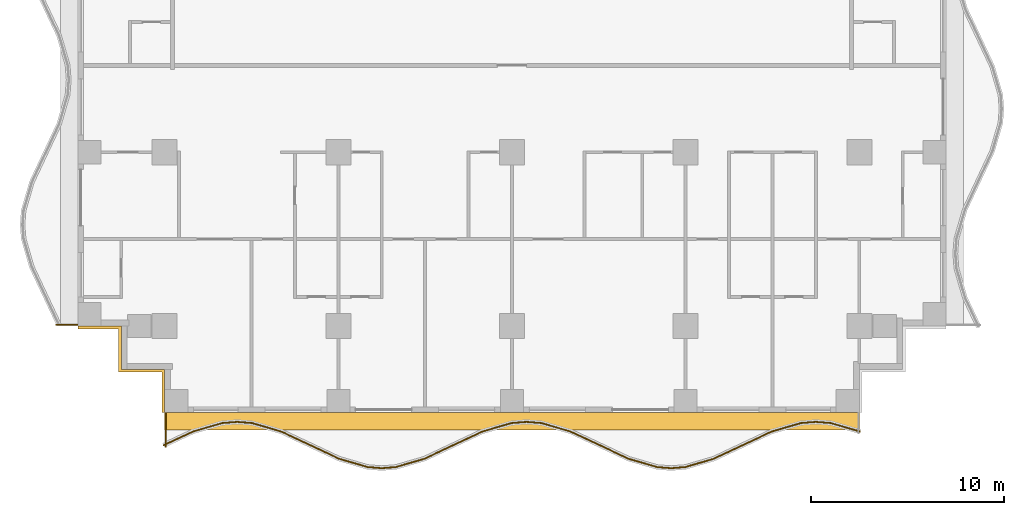
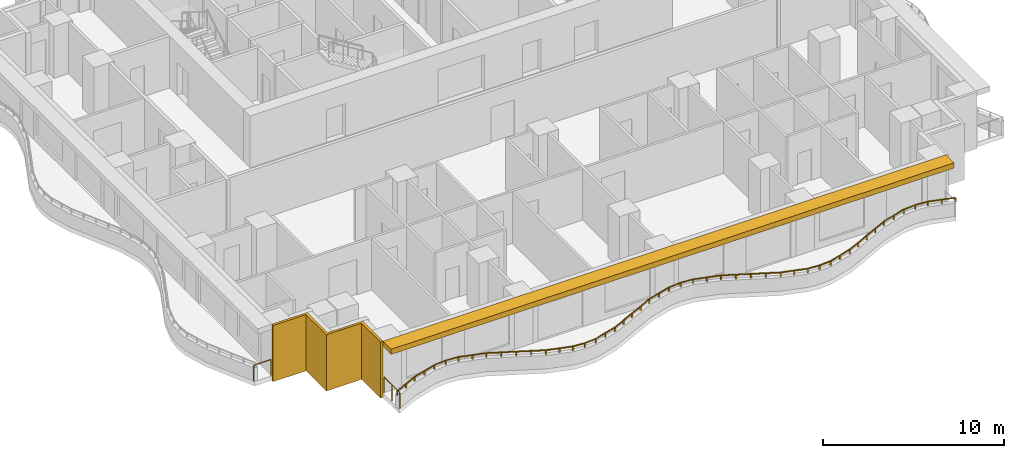
# One storey, part 7 of 10: 3 railings, 2 shading devices.
"""IFC4 building model written with IfcOpenShell, lengths in metres."""

from ifc_helpers import new_model, si_unit, direction, frame, origin, origin_2d, place, context, subcontext, project, spatial, polyline, rectangle, outline, extrude, material, layer, layer_set, type_object, element, save


model = new_model("IFC4")

# Units and contexts
model_context = context("Model", 3, precision=1e-05, world=origin(), true_north=direction((0.0, 1.0)))
body_context = subcontext(model_context, "Body", "Model", "MODEL_VIEW")
ifc_project = project(units=[si_unit("LENGTHUNIT", "METRE"), si_unit("AREAUNIT", "SQUARE_METRE"), si_unit("VOLUMEUNIT", "CUBIC_METRE"), si_unit("PLANEANGLEUNIT", "RADIAN"), si_unit("MASSUNIT", "GRAM", prefix="KILO")], contexts=[model_context])

# Site, building, storey
site_placement = place(None, origin())
site = spatial("IfcSite", under=ifc_project, at=site_placement, CompositionType="ELEMENT")
building_placement = place(site_placement, origin())
building = spatial("IfcBuilding", under=site, at=building_placement, Name="Orbiselva Terraces", CompositionType="ELEMENT")
storey_placement = place(building_placement, frame((0.0, 0.0, 128.8)))
storey = spatial("IfcBuildingStorey", under=building, at=storey_placement, Name="L32", CompositionType="ELEMENT", Elevation=128.8)

# Railings
ifc_material_1 = material(Name="Bonded two-ply safety glass balustrade, stainless steel posts", Category="steel")
railing_type_1 = type_object("IfcRailingType", Name="ENV-BALUSTRADE-1200", PredefinedType="BALUSTRADE", material=ifc_material_1)
railing_1_placement = place(storey_placement, frame((-18.053191, -19.686882, 0.9)))
element("IfcRailing", 1, at=railing_1_placement, inside=storey, type_object=railing_type_1, Name="Balcony balustrade L32 S", PredefinedType="BALUSTRADE", context=body_context, shape_type="SweptSolid", body=[
    extrude(outline(polyline([(0.028868, 0.0), (0.014434, 0.025), (-0.014434, 0.025), (-0.028868, 0.0), (-0.014434, -0.025), (0.014434, -0.025), (0.028868, 0.0)])), frame((0.0, 0.0, 0.275), z_axis=(0.904944157382, 0.425530342069, 0.0), x_axis=(-0.425530342069, 0.904944157382, 0.0)), (0.0, 0.0, 1.0), 1.667376),
    extrude(outline(polyline([(0.028868, 0.0), (0.014434, 0.025), (-0.014434, 0.025), (-0.028868, 0.0), (-0.014434, -0.025), (0.014434, -0.025), (0.028868, 0.0)])), frame((1.508882, 0.709519, 0.275), z_axis=(0.960270491427, 0.279070928786, 0.0), x_axis=(-0.279070928786, 0.960270491427, 0.0)), (0.0, 0.0, 1.0), 1.584712),
    extrude(outline(polyline([(0.028868, 0.0), (0.014434, 0.025), (-0.014434, 0.025), (-0.028868, 0.0), (-0.014434, -0.025), (0.014434, -0.025), (0.028868, 0.0)])), frame((3.030634, 1.151766, 0.275), z_axis=(0.996947796737, 0.078071061106, 0.0), x_axis=(-0.078071061106, 0.996947796737, 0.0)), (0.0, 0.0, 1.0), 0.774922),
    extrude(outline(polyline([(0.028868, 0.0), (0.014434, 0.025), (-0.014434, 0.025), (-0.028868, 0.0), (-0.014434, -0.025), (0.014434, -0.025), (0.028868, 0.0)])), frame((3.803191, 1.212265, 0.275), z_axis=(0.996947796737, -0.078071061106, 0.0), x_axis=(0.078071061106, 0.996947796737, 0.0)), (0.0, 0.0, 1.0), 0.774922),
    extrude(outline(polyline([(0.028868, 0.0), (0.014434, 0.025), (-0.014434, 0.025), (-0.028868, 0.0), (-0.014434, -0.025), (0.014434, -0.025), (0.028868, 0.0)])), frame((4.575748, 1.151766, 0.275), z_axis=(0.960270491427, -0.279070928786, 0.0), x_axis=(0.279070928786, 0.960270491427, 0.0)), (0.0, 0.0, 1.0), 1.584712),
    extrude(outline(polyline([(0.028868, 0.0), (0.014434, 0.025), (-0.014434, 0.025), (-0.028868, 0.0), (-0.014434, -0.025), (0.014434, -0.025), (0.028868, 0.0)])), frame((6.0975, 0.709519, 0.275), z_axis=(0.904944157382, -0.425530342069, 0.0), x_axis=(0.425530342069, 0.904944157382, 0.0)), (0.0, 0.0, 1.0), 1.667376),
    extrude(outline(polyline([(0.028868, 0.0), (0.014434, 0.025), (-0.014434, 0.025), (-0.028868, 0.0), (-0.014434, -0.025), (0.014434, -0.025), (0.028868, 0.0)])), frame((7.606382, 0.0, 0.275), z_axis=(0.904944359461, -0.425529912322, 0.0), x_axis=(0.425529912322, 0.904944359461, 0.0)), (0.0, 0.0, 1.0), 1.647746),
    extrude(outline(polyline([(0.028868, 0.0), (0.014434, 0.025), (-0.014434, 0.025), (-0.028868, 0.0), (-0.014434, -0.025), (0.014434, -0.025), (0.028868, 0.0)])), frame((9.0975, -0.701165, 0.275), z_axis=(0.960270317007, -0.279071528957, 0.0), x_axis=(0.279071528957, 0.960270317007, 0.0)), (0.0, 0.0, 1.0), 1.539408),
    extrude(outline(polyline([(0.028868, 0.0), (0.014434, 0.025), (-0.014434, 0.025), (-0.028868, 0.0), (-0.014434, -0.025), (0.014434, -0.025), (0.028868, 0.0)])), frame((10.575748, -1.13077, 0.275), z_axis=(0.996947916106, -0.078069536776, 0.0), x_axis=(0.078069536776, 0.996947916106, 0.0)), (0.0, 0.0, 1.0), 0.72967),
    extrude(outline(polyline([(0.028868, 0.0), (0.014434, 0.025), (-0.014434, 0.025), (-0.028868, 0.0), (-0.014434, -0.025), (0.014434, -0.025), (0.028868, 0.0)])), frame((11.303191, -1.187735, 0.275), z_axis=(0.996947916106, 0.078069536776, 0.0), x_axis=(-0.078069536776, 0.996947916106, 0.0)), (0.0, 0.0, 1.0), 0.72967),
    extrude(outline(polyline([(0.028868, 0.0), (0.014434, 0.025), (-0.014434, 0.025), (-0.028868, 0.0), (-0.014434, -0.025), (0.014434, -0.025), (0.028868, 0.0)])), frame((12.030634, -1.13077, 0.275), z_axis=(0.960270317007, 0.279071528957, 0.0), x_axis=(-0.279071528957, 0.960270317007, 0.0)), (0.0, 0.0, 1.0), 1.539408),
    extrude(outline(polyline([(0.028868, 0.0), (0.014434, 0.025), (-0.014434, 0.025), (-0.028868, 0.0), (-0.014434, -0.025), (0.014434, -0.025), (0.028868, 0.0)])), frame((13.508882, -0.701165, 0.275), z_axis=(0.904944359461, 0.425529912322, 0.0), x_axis=(-0.425529912322, 0.904944359461, 0.0)), (0.0, 0.0, 1.0), 1.647746),
    extrude(outline(polyline([(0.028868, 0.0), (0.014434, 0.025), (-0.014434, 0.025), (-0.028868, 0.0), (-0.014434, -0.025), (0.014434, -0.025), (0.028868, 0.0)])), frame((15.0, 0.0, 0.275), z_axis=(0.904944157382, 0.425530342069, 0.0), x_axis=(-0.425530342069, 0.904944157382, 0.0)), (0.0, 0.0, 1.0), 1.667376),
    extrude(outline(polyline([(0.028868, 0.0), (0.014434, 0.025), (-0.014434, 0.025), (-0.028868, 0.0), (-0.014434, -0.025), (0.014434, -0.025), (0.028868, 0.0)])), frame((16.508882, 0.709519, 0.275), z_axis=(0.960270491427, 0.279070928786, 0.0), x_axis=(-0.279070928786, 0.960270491427, 0.0)), (0.0, 0.0, 1.0), 1.584712),
    extrude(outline(polyline([(0.028868, 0.0), (0.014434, 0.025), (-0.014434, 0.025), (-0.028868, 0.0), (-0.014434, -0.025), (0.014434, -0.025), (0.028868, 0.0)])), frame((18.030634, 1.151766, 0.275), z_axis=(0.996947796737, 0.078071061106, 0.0), x_axis=(-0.078071061106, 0.996947796737, 0.0)), (0.0, 0.0, 1.0), 0.774922),
    extrude(outline(polyline([(0.028868, 0.0), (0.014434, 0.025), (-0.014434, 0.025), (-0.028868, 0.0), (-0.014434, -0.025), (0.014434, -0.025), (0.028868, 0.0)])), frame((18.803191, 1.212265, 0.275), z_axis=(0.996947796737, -0.078071061106, 0.0), x_axis=(0.078071061106, 0.996947796737, 0.0)), (0.0, 0.0, 1.0), 0.774922),
    extrude(outline(polyline([(0.028868, 0.0), (0.014434, 0.025), (-0.014434, 0.025), (-0.028868, 0.0), (-0.014434, -0.025), (0.014434, -0.025), (0.028868, 0.0)])), frame((19.575748, 1.151766, 0.275), z_axis=(0.960270491427, -0.279070928786, 0.0), x_axis=(0.279070928786, 0.960270491427, 0.0)), (0.0, 0.0, 1.0), 1.584712),
    extrude(outline(polyline([(0.028868, 0.0), (0.014434, 0.025), (-0.014434, 0.025), (-0.028868, 0.0), (-0.014434, -0.025), (0.014434, -0.025), (0.028868, 0.0)])), frame((21.0975, 0.709519, 0.275), z_axis=(0.904944157382, -0.425530342069, 0.0), x_axis=(0.425530342069, 0.904944157382, 0.0)), (0.0, 0.0, 1.0), 1.667376),
    extrude(outline(polyline([(0.028868, 0.0), (0.014434, 0.025), (-0.014434, 0.025), (-0.028868, 0.0), (-0.014434, -0.025), (0.014434, -0.025), (0.028868, 0.0)])), frame((22.606382, 0.0, 0.275), z_axis=(0.904944359461, -0.425529912322, 0.0), x_axis=(0.425529912322, 0.904944359461, 0.0)), (0.0, 0.0, 1.0), 1.647746),
    extrude(outline(polyline([(0.028868, 0.0), (0.014434, 0.025), (-0.014434, 0.025), (-0.028868, 0.0), (-0.014434, -0.025), (0.014434, -0.025), (0.028868, 0.0)])), frame((24.0975, -0.701165, 0.275), z_axis=(0.960270317007, -0.279071528957, 0.0), x_axis=(0.279071528957, 0.960270317007, 0.0)), (0.0, 0.0, 1.0), 1.539408),
    extrude(outline(polyline([(0.028868, 0.0), (0.014434, 0.025), (-0.014434, 0.025), (-0.028868, 0.0), (-0.014434, -0.025), (0.014434, -0.025), (0.028868, 0.0)])), frame((25.575748, -1.13077, 0.275), z_axis=(0.996947916106, -0.078069536776, 0.0), x_axis=(0.078069536776, 0.996947916106, 0.0)), (0.0, 0.0, 1.0), 0.72967),
    extrude(outline(polyline([(0.028868, 0.0), (0.014434, 0.025), (-0.014434, 0.025), (-0.028868, 0.0), (-0.014434, -0.025), (0.014434, -0.025), (0.028868, 0.0)])), frame((26.303191, -1.187735, 0.275), z_axis=(0.996947916106, 0.078069536776, 0.0), x_axis=(-0.078069536776, 0.996947916106, 0.0)), (0.0, 0.0, 1.0), 0.72967),
    extrude(outline(polyline([(0.028868, 0.0), (0.014434, 0.025), (-0.014434, 0.025), (-0.028868, 0.0), (-0.014434, -0.025), (0.014434, -0.025), (0.028868, 0.0)])), frame((27.030634, -1.13077, 0.275), z_axis=(0.960270317007, 0.279071528957, 0.0), x_axis=(-0.279071528957, 0.960270317007, 0.0)), (0.0, 0.0, 1.0), 1.539408),
    extrude(outline(polyline([(0.028868, 0.0), (0.014434, 0.025), (-0.014434, 0.025), (-0.028868, 0.0), (-0.014434, -0.025), (0.014434, -0.025), (0.028868, 0.0)])), frame((28.508882, -0.701165, 0.275), z_axis=(0.904944359461, 0.425529912322, 0.0), x_axis=(-0.425529912322, 0.904944359461, 0.0)), (0.0, 0.0, 1.0), 1.647746),
    extrude(outline(polyline([(0.028868, 0.0), (0.014434, 0.025), (-0.014434, 0.025), (-0.028868, 0.0), (-0.014434, -0.025), (0.014434, -0.025), (0.028868, 0.0)])), frame((30.0, 0.0, 0.275), z_axis=(0.904944157382, 0.425530342069, 0.0), x_axis=(-0.425530342069, 0.904944157382, 0.0)), (0.0, 0.0, 1.0), 1.667376),
    extrude(outline(polyline([(0.028868, 0.0), (0.014434, 0.025), (-0.014434, 0.025), (-0.028868, 0.0), (-0.014434, -0.025), (0.014434, -0.025), (0.028868, 0.0)])), frame((31.508882, 0.709519, 0.275), z_axis=(0.960270491427, 0.279070928786, 0.0), x_axis=(-0.279070928786, 0.960270491427, 0.0)), (0.0, 0.0, 1.0), 1.584712),
    extrude(outline(polyline([(0.028868, 0.0), (0.014434, 0.025), (-0.014434, 0.025), (-0.028868, 0.0), (-0.014434, -0.025), (0.014434, -0.025), (0.028868, 0.0)])), frame((33.030634, 1.151766, 0.275), z_axis=(0.996947796737, 0.078071061106, 0.0), x_axis=(-0.078071061106, 0.996947796737, 0.0)), (0.0, 0.0, 1.0), 0.774922),
    extrude(outline(polyline([(0.028868, 0.0), (0.014434, 0.025), (-0.014434, 0.025), (-0.028868, 0.0), (-0.014434, -0.025), (0.014434, -0.025), (0.028868, 0.0)])), frame((33.803191, 1.212265, 0.275), z_axis=(0.996947796737, -0.078071061106, 0.0), x_axis=(0.078071061106, 0.996947796737, 0.0)), (0.0, 0.0, 1.0), 0.774922),
    extrude(outline(polyline([(0.028868, 0.0), (0.014434, 0.025), (-0.014434, 0.025), (-0.028868, 0.0), (-0.014434, -0.025), (0.014434, -0.025), (0.028868, 0.0)])), frame((34.575748, 1.151766, 0.275), z_axis=(0.96027048033, -0.279070966973, 0.0), x_axis=(0.279070966973, 0.96027048033, 0.0)), (0.0, 0.0, 1.0), 1.574897),
    extrude(rectangle(XDim=0.05, YDim=0.05, at=origin_2d()), origin(), (0.0, 0.0, 1.0), 0.25),
    extrude(rectangle(XDim=0.05, YDim=0.05, at=origin_2d()), frame((0.754441, 0.35476, 0.0)), (0.0, 0.0, 1.0), 0.25),
    extrude(rectangle(XDim=0.05, YDim=0.05, at=origin_2d()), frame((1.508882, 0.709519, 0.0)), (0.0, 0.0, 1.0), 0.25),
    extrude(rectangle(XDim=0.05, YDim=0.05, at=origin_2d()), frame((2.269758, 0.930643, 0.0)), (0.0, 0.0, 1.0), 0.25),
    extrude(rectangle(XDim=0.05, YDim=0.05, at=origin_2d()), frame((3.030634, 1.151766, 0.0)), (0.0, 0.0, 1.0), 0.25),
    extrude(rectangle(XDim=0.05, YDim=0.05, at=origin_2d()), frame((3.803191, 1.212265, 0.0)), (0.0, 0.0, 1.0), 0.25),
    extrude(rectangle(XDim=0.05, YDim=0.05, at=origin_2d()), frame((4.575748, 1.151766, 0.0)), (0.0, 0.0, 1.0), 0.25),
    extrude(rectangle(XDim=0.05, YDim=0.05, at=origin_2d()), frame((5.336624, 0.930643, 0.0)), (0.0, 0.0, 1.0), 0.25),
    extrude(rectangle(XDim=0.05, YDim=0.05, at=origin_2d()), frame((6.0975, 0.709519, 0.0)), (0.0, 0.0, 1.0), 0.25),
    extrude(rectangle(XDim=0.05, YDim=0.05, at=origin_2d()), frame((6.851941, 0.35476, 0.0)), (0.0, 0.0, 1.0), 0.25),
    extrude(rectangle(XDim=0.05, YDim=0.05, at=origin_2d()), frame((7.606382, 0.0, 0.0)), (0.0, 0.0, 1.0), 0.25),
    extrude(rectangle(XDim=0.05, YDim=0.05, at=origin_2d()), frame((8.351941, -0.350582, 0.0)), (0.0, 0.0, 1.0), 0.25),
    extrude(rectangle(XDim=0.05, YDim=0.05, at=origin_2d()), frame((9.0975, -0.701165, 0.0)), (0.0, 0.0, 1.0), 0.25),
    extrude(rectangle(XDim=0.05, YDim=0.05, at=origin_2d()), frame((9.836624, -0.915967, 0.0)), (0.0, 0.0, 1.0), 0.25),
    extrude(rectangle(XDim=0.05, YDim=0.05, at=origin_2d()), frame((10.575748, -1.13077, 0.0)), (0.0, 0.0, 1.0), 0.25),
    extrude(rectangle(XDim=0.05, YDim=0.05, at=origin_2d()), frame((11.303191, -1.187735, 0.0)), (0.0, 0.0, 1.0), 0.25),
    extrude(rectangle(XDim=0.05, YDim=0.05, at=origin_2d()), frame((12.030634, -1.13077, 0.0)), (0.0, 0.0, 1.0), 0.25),
    extrude(rectangle(XDim=0.05, YDim=0.05, at=origin_2d()), frame((12.769758, -0.915967, 0.0)), (0.0, 0.0, 1.0), 0.25),
    extrude(rectangle(XDim=0.05, YDim=0.05, at=origin_2d()), frame((13.508882, -0.701165, 0.0)), (0.0, 0.0, 1.0), 0.25),
    extrude(rectangle(XDim=0.05, YDim=0.05, at=origin_2d()), frame((14.254441, -0.350582, 0.0)), (0.0, 0.0, 1.0), 0.25),
    extrude(rectangle(XDim=0.05, YDim=0.05, at=origin_2d()), frame((15.0, 0.0, 0.0)), (0.0, 0.0, 1.0), 0.25),
    extrude(rectangle(XDim=0.05, YDim=0.05, at=origin_2d()), frame((15.754441, 0.35476, 0.0)), (0.0, 0.0, 1.0), 0.25),
    extrude(rectangle(XDim=0.05, YDim=0.05, at=origin_2d()), frame((16.508882, 0.709519, 0.0)), (0.0, 0.0, 1.0), 0.25),
    extrude(rectangle(XDim=0.05, YDim=0.05, at=origin_2d()), frame((17.269758, 0.930643, 0.0)), (0.0, 0.0, 1.0), 0.25),
    extrude(rectangle(XDim=0.05, YDim=0.05, at=origin_2d()), frame((18.030634, 1.151766, 0.0)), (0.0, 0.0, 1.0), 0.25),
    extrude(rectangle(XDim=0.05, YDim=0.05, at=origin_2d()), frame((18.803191, 1.212265, 0.0)), (0.0, 0.0, 1.0), 0.25),
    extrude(rectangle(XDim=0.05, YDim=0.05, at=origin_2d()), frame((19.575748, 1.151766, 0.0)), (0.0, 0.0, 1.0), 0.25),
    extrude(rectangle(XDim=0.05, YDim=0.05, at=origin_2d()), frame((20.336624, 0.930643, 0.0)), (0.0, 0.0, 1.0), 0.25),
    extrude(rectangle(XDim=0.05, YDim=0.05, at=origin_2d()), frame((21.0975, 0.709519, 0.0)), (0.0, 0.0, 1.0), 0.25),
    extrude(rectangle(XDim=0.05, YDim=0.05, at=origin_2d()), frame((21.851941, 0.35476, 0.0)), (0.0, 0.0, 1.0), 0.25),
    extrude(rectangle(XDim=0.05, YDim=0.05, at=origin_2d()), frame((22.606382, 0.0, 0.0)), (0.0, 0.0, 1.0), 0.25),
    extrude(rectangle(XDim=0.05, YDim=0.05, at=origin_2d()), frame((23.351941, -0.350582, 0.0)), (0.0, 0.0, 1.0), 0.25),
    extrude(rectangle(XDim=0.05, YDim=0.05, at=origin_2d()), frame((24.0975, -0.701165, 0.0)), (0.0, 0.0, 1.0), 0.25),
    extrude(rectangle(XDim=0.05, YDim=0.05, at=origin_2d()), frame((24.836624, -0.915967, 0.0)), (0.0, 0.0, 1.0), 0.25),
    extrude(rectangle(XDim=0.05, YDim=0.05, at=origin_2d()), frame((25.575748, -1.13077, 0.0)), (0.0, 0.0, 1.0), 0.25),
    extrude(rectangle(XDim=0.05, YDim=0.05, at=origin_2d()), frame((26.303191, -1.187735, 0.0)), (0.0, 0.0, 1.0), 0.25),
    extrude(rectangle(XDim=0.05, YDim=0.05, at=origin_2d()), frame((27.030634, -1.13077, 0.0)), (0.0, 0.0, 1.0), 0.25),
    extrude(rectangle(XDim=0.05, YDim=0.05, at=origin_2d()), frame((27.769758, -0.915967, 0.0)), (0.0, 0.0, 1.0), 0.25),
    extrude(rectangle(XDim=0.05, YDim=0.05, at=origin_2d()), frame((28.508882, -0.701165, 0.0)), (0.0, 0.0, 1.0), 0.25),
    extrude(rectangle(XDim=0.05, YDim=0.05, at=origin_2d()), frame((29.254441, -0.350582, 0.0)), (0.0, 0.0, 1.0), 0.25),
    extrude(rectangle(XDim=0.05, YDim=0.05, at=origin_2d()), frame((30.0, 0.0, 0.0)), (0.0, 0.0, 1.0), 0.25),
    extrude(rectangle(XDim=0.05, YDim=0.05, at=origin_2d()), frame((30.754441, 0.35476, 0.0)), (0.0, 0.0, 1.0), 0.25),
    extrude(rectangle(XDim=0.05, YDim=0.05, at=origin_2d()), frame((31.508882, 0.709519, 0.0)), (0.0, 0.0, 1.0), 0.25),
    extrude(rectangle(XDim=0.05, YDim=0.05, at=origin_2d()), frame((32.269758, 0.930643, 0.0)), (0.0, 0.0, 1.0), 0.25),
    extrude(rectangle(XDim=0.05, YDim=0.05, at=origin_2d()), frame((33.030634, 1.151766, 0.0)), (0.0, 0.0, 1.0), 0.25),
    extrude(rectangle(XDim=0.05, YDim=0.05, at=origin_2d()), frame((33.803191, 1.212265, 0.0)), (0.0, 0.0, 1.0), 0.25),
    extrude(rectangle(XDim=0.05, YDim=0.05, at=origin_2d()), frame((34.575748, 1.151766, 0.0)), (0.0, 0.0, 1.0), 0.25),
    extrude(rectangle(XDim=0.05, YDim=0.05, at=origin_2d()), frame((35.331912, 0.932012, 0.0)), (0.0, 0.0, 1.0), 0.25),
    extrude(rectangle(XDim=0.05, YDim=0.05, at=origin_2d()), frame((36.088075, 0.712258, 0.0)), (0.0, 0.0, 1.0), 0.25),
])
ifc_material_2 = material(Name="Stainless steel rail and posts", Category="steel")
railing_type_2 = type_object("IfcRailingType", Name="ENV-GUARD-1105", PredefinedType="BALUSTRADE", material=ifc_material_2)
railing_2_placement = place(storey_placement, frame((-17.94, -19.769844, 0.0)))
element("IfcRailing", 2, at=railing_2_placement, inside=storey, type_object=railing_type_2, Name="Balcony end guard L32 S", PredefinedType="BALUSTRADE", context=body_context, shape_type="SweptSolid", body=[
    extrude(outline(polyline([(0.028868, 0.0), (0.014434, 0.025), (-0.014434, 0.025), (-0.028868, 0.0), (-0.014434, -0.025), (0.014434, -0.025), (0.028868, 0.0)])), frame((0.0, 0.0, 1.08), z_axis=(0.0, 1.0, 0.0), x_axis=(-1.0, 0.0, 0.0)), (0.0, 0.0, 1.0), 1.744844),
    extrude(rectangle(XDim=0.05, YDim=0.05, at=origin_2d()), origin(), (0.0, 0.0, 1.0), 1.055),
    extrude(rectangle(XDim=0.05, YDim=0.05, at=origin_2d()), frame((0.0, 0.872422, 0.0)), (0.0, 0.0, 1.0), 1.055),
    extrude(rectangle(XDim=0.05, YDim=0.05, at=origin_2d()), frame((0.0, 1.744844, 0.0)), (0.0, 0.0, 1.0), 1.055),
])
railing_3_placement = place(storey_placement, frame((-23.619277, -13.44, 0.0)))
element("IfcRailing", 3, at=railing_3_placement, inside=storey, type_object=railing_type_2, Name="Balcony end guard L32 W", PredefinedType="BALUSTRADE", context=body_context, shape_type="SweptSolid", body=[
    extrude(outline(polyline([(0.028868, 0.0), (0.014434, 0.025), (-0.014434, 0.025), (-0.028868, 0.0), (-0.014434, -0.025), (0.014434, -0.025), (0.028868, 0.0)])), frame((0.0, 0.0, 1.08), z_axis=(1.0, 0.0, 0.0), x_axis=(0.0, 1.0, 0.0)), (0.0, 0.0, 1.0), 1.094277),
    extrude(rectangle(XDim=0.05, YDim=0.05, at=origin_2d()), origin(), (0.0, 0.0, 1.0), 1.055),
    extrude(rectangle(XDim=0.05, YDim=0.05, at=origin_2d()), frame((1.094277, 0.0, 0.0)), (0.0, 0.0, 1.0), 1.055),
])

# Shading devices
ifc_material_3 = material(Name="Terracotta louvre screen", Category="masonry")
ifc_layer_1 = layer(ifc_material_3, 0.15)
ifc_layer_set_1 = layer_set([ifc_layer_1], Name="Terracotta louvre screen")
shading_device_type_1 = type_object("IfcShadingDeviceType", Name="ENV-SCREEN-150", PredefinedType="USERDEFINED", material=ifc_layer_set_1)
shading_device_1_placement = place(storey_placement, frame((0.0, 0.0, -0.3)))
element("IfcShadingDevice", 4, at=shading_device_1_placement, inside=storey, type_object=shading_device_type_1, Name="Louvre screen L32 SW", ObjectType="SCREEN", PredefinedType="USERDEFINED", context=body_context, shape_type="SweptSolid", body=[
    extrude(outline(polyline([(-22.5, -13.65), (-20.4, -13.65), (-20.4, -15.9), (-18.15, -15.9), (-18.15, -18.0), (-18.0, -18.0), (-18.0, -15.75), (-20.25, -15.75), (-20.25, -13.5), (-22.5, -13.5), (-22.5, -13.65)])), origin(), (0.0, 0.0, 1.0), 3.8),
])
ifc_material_4 = material(Name="Terracotta baguette sunshade", Category="masonry")
ifc_layer_2 = layer(ifc_material_4, 0.35)
ifc_layer_set_2 = layer_set([ifc_layer_2], Name="Terracotta baguette sunshade")
shading_device_type_2 = type_object("IfcShadingDeviceType", Name="ENV-SUNSHADE-900x350", PredefinedType="USERDEFINED", material=ifc_layer_set_2)
shading_device_2_placement = place(storey_placement, frame((0.0, 0.0, 3.15)))
element("IfcShadingDevice", 5, at=shading_device_2_placement, inside=storey, type_object=shading_device_type_2, Name="Sunshade band L32 S", ObjectType="SUNSHADE", PredefinedType="USERDEFINED", context=body_context, shape_type="SweptSolid", body=[
    extrude(outline(polyline([(-18.0, -18.9), (18.0, -18.9), (18.0, -18.0), (-18.0, -18.0), (-18.0, -18.9)])), origin(), (0.0, 0.0, 1.0), 0.35),
])

save(model, "model.ifc")
